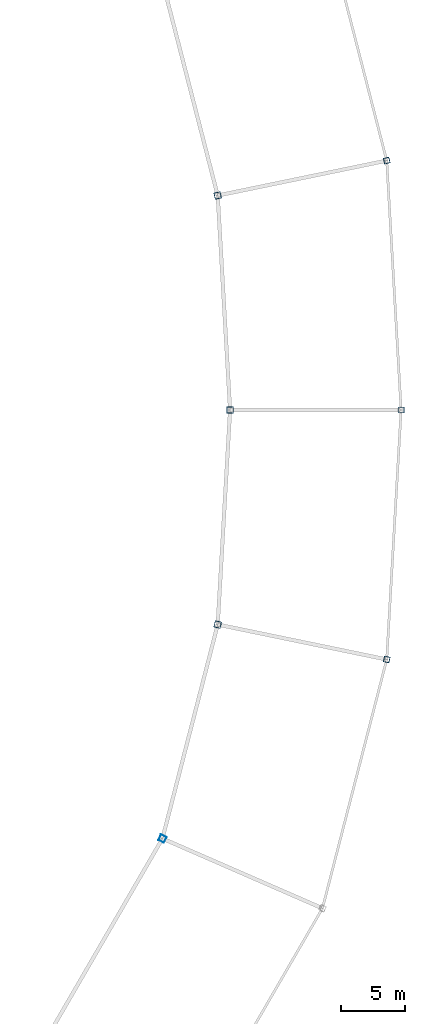
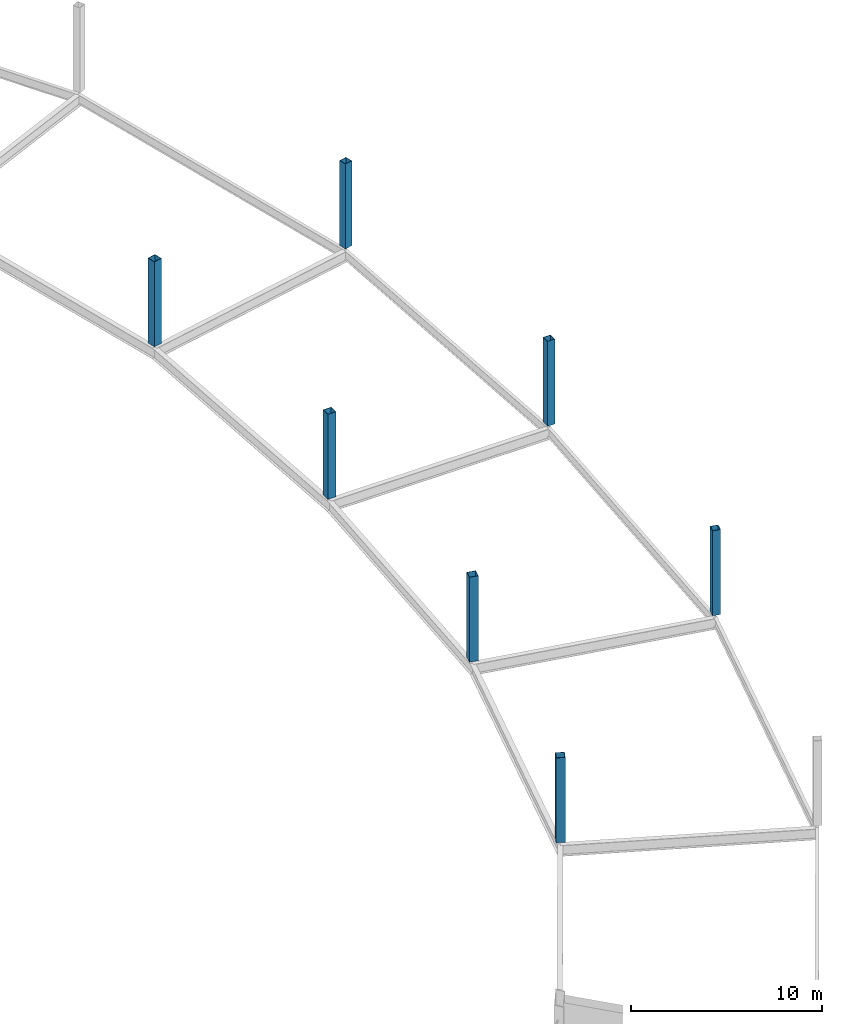
# One storey, part 6 of 103: 7 columns.
"""IFC4 building model written with IfcOpenShell, lengths in metres."""

import ifcopenshell
import ifcopenshell.guid

model = None  # the IFC model being written
_history = None  # IfcOwnerHistory: only IFC2X3 demands one
_inside = {}  # id of a spatial element -> (the spatial element, [elements in it])
_under = {}  # id of a project, library or spatial element -> (it, [spatial elements below it])
_declared = {}  # id of a project -> (the project, [libraries it declares])
_typed = {}  # id of a type object -> (the type object, [elements of that type])
_made_of = {}  # id of a material, layer set ... -> (it, [elements and type objects made of it])


def new_model(schema):
    """Start an empty IFC model of exactly this schema.

    Asked for "IFC4X3", IfcOpenShell would pick the latest addendum, in which some entities
    have other attributes; the version numbers below select the first issue.
    IFC2X3 requires an IfcOwnerHistory on every rooted entity: one is made here for all.
    """
    global model, _history
    if schema == "IFC4X3":
        model = ifcopenshell.file(schema_version=(4, 3, 0, 0))
    else:
        model = ifcopenshell.file(schema=schema)
    _inside.clear()
    _under.clear()
    _declared.clear()
    _typed.clear()
    _made_of.clear()
    _history = None
    if model.schema == "IFC2X3":
        org = make("IfcOrganization", Name="unknown")
        user = make(
            "IfcPersonAndOrganization",
            ThePerson=make("IfcPerson", FamilyName="unknown"),
            TheOrganization=org,
        )
        app = make(
            "IfcApplication",
            ApplicationDeveloper=org,
            Version="unknown",
            ApplicationFullName="unknown",
            ApplicationIdentifier="unknown",
        )
        _history = make(
            "IfcOwnerHistory",
            OwningUser=user,
            OwningApplication=app,
            ChangeAction="ADDED",
            CreationDate=0,
        )
    return model


def make(cls, **values):
    """One entity of the class cls with the attributes given. An attribute that is None is left unset."""
    return model.create_entity(
        cls, **{name: value for name, value in values.items() if value is not None}
    )


def rooted(cls, **values):
    """An entity with a GlobalId (a new one), such as an element, a storey or a relation."""
    return make(cls, GlobalId=ifcopenshell.guid.new(), OwnerHistory=_history, **values)


def si_unit(unit_type, name, prefix=None):
    """IfcSIUnit, for example si_unit("LENGTHUNIT", "METRE", prefix="MILLI")."""
    return make("IfcSIUnit", UnitType=unit_type, Prefix=prefix, Name=name)


def assignment(units):
    """IfcUnitAssignment: the units of a project."""
    return None if units is None else make("IfcUnitAssignment", Units=units)


def point(xyz):
    """IfcCartesianPoint."""
    return None if xyz is None else make("IfcCartesianPoint", Coordinates=xyz)


def direction(xyz):
    """IfcDirection."""
    return None if xyz is None else make("IfcDirection", DirectionRatios=xyz)


def frame(location, z_axis=None, x_axis=None):
    """IfcAxis2Placement3D, a coordinate frame: its origin and axes. An axis left out is left unset."""
    return make(
        "IfcAxis2Placement3D",
        Location=point(location),
        Axis=direction(z_axis),
        RefDirection=direction(x_axis),
    )


def frame_2d(location, x_axis=None):
    """IfcAxis2Placement2D, a coordinate frame in the plane: its origin and x axis."""
    return make(
        "IfcAxis2Placement2D", Location=point(location), RefDirection=direction(x_axis)
    )


def origin():
    """The frame at (0, 0, 0) with its axes left unset."""
    return frame((0.0, 0.0, 0.0))


def origin_2d():
    """The frame at (0, 0) in the plane with its x axis left unset."""
    return frame_2d((0.0, 0.0))


def place(relative_to, where):
    """IfcLocalPlacement: puts the frame where relative to a parent placement (None: the world)."""
    return make(
        "IfcLocalPlacement", PlacementRelTo=relative_to, RelativePlacement=where
    )


def context(
    kind, dimensions, precision=None, world=None, true_north=None, identifier=None
):
    """IfcGeometricRepresentationContext, for example the 3D "Model" context."""
    return make(
        "IfcGeometricRepresentationContext",
        ContextIdentifier=identifier,
        ContextType=kind,
        CoordinateSpaceDimension=dimensions,
        Precision=precision,
        WorldCoordinateSystem=world,
        TrueNorth=true_north,
    )


def subcontext(parent, identifier, kind, view, scale=None):
    """IfcGeometricRepresentationSubContext, for example "Body" below "Model"."""
    return make(
        "IfcGeometricRepresentationSubContext",
        ContextIdentifier=identifier,
        ContextType=kind,
        ParentContext=parent,
        TargetScale=scale,
        TargetView=view,
    )


def project(units=None, contexts=None):
    """IfcProject with its units and contexts."""
    return rooted(
        "IfcProject",
        Name="project",
        RepresentationContexts=contexts,
        UnitsInContext=assignment(units),
    )


def spatial(cls, under=None, at=None, **own):
    """A site, building, storey or space (cls), placed at a placement, below another one or the project."""
    s = rooted(cls, ObjectPlacement=at, **own)
    if under is not None:
        _under.setdefault(under.id(), (under, []))[1].append(s)
    return s


def profile(cls, at=None, kind="AREA", **sizes):
    """A parametric profile (cls). Its sizes go by their IFC names, for example OverallWidth=200.0."""
    return make(cls, ProfileType=kind, Position=at, **sizes)


def hollow_rectangle(**sizes):
    """IfcRectangleHollowProfileDef."""
    return profile("IfcRectangleHollowProfileDef", **sizes)


def extrude(swept, where, along, depth):
    """IfcExtrudedAreaSolid: the profile swept, set in the frame where, extruded along a direction by depth."""
    return make(
        "IfcExtrudedAreaSolid",
        SweptArea=swept,
        Position=where,
        ExtrudedDirection=direction(along),
        Depth=depth,
    )


def shape(context_of_items, identifier, shape_type, items):
    """IfcShapeRepresentation: the items that make up one representation, for example the "Body"."""
    return make(
        "IfcShapeRepresentation",
        ContextOfItems=context_of_items,
        RepresentationIdentifier=identifier,
        RepresentationType=shape_type,
        Items=items,
    )


def material(Name=None, Category=None):
    """IfcMaterial."""
    return make("IfcMaterial", Name=Name, Category=Category)


def material_profile(
    of_material, cross_section, Name=None, Category=None, Priority=None
):
    """IfcMaterialProfile: a cross section and its material."""
    return make(
        "IfcMaterialProfile",
        Name=Name,
        Material=of_material,
        Profile=cross_section,
        Priority=Priority,
        Category=Category,
    )


def profile_set(profiles, Name=None, composite=None):
    """IfcMaterialProfileSet."""
    return make(
        "IfcMaterialProfileSet",
        Name=Name,
        MaterialProfiles=profiles,
        CompositeProfile=composite,
    )


def made_of(thing, what):
    """Note that an element or type object is made of a material, layer set ...; save() writes the relation."""
    if what is not None:
        _made_of.setdefault(what.id(), (what, []))[1].append(thing)
    return thing


def type_object(cls, material=None, **own):
    """A type object (cls), such as IfcWallType, which elements share."""
    return made_of(rooted(cls, **own), material)


def element(
    cls,
    number,
    at=None,
    inside=None,
    cuts=None,
    type_object=None,
    material=None,
    context=None,
    identifier="Body",
    shape_type=None,
    held_by="IfcProductDefinitionShape",
    body=None,
    shapes=None,
    **own,
):
    """One element of the class cls, such as IfcWall. Its Tag is "e" and its number.

    at: its placement. inside: the storey or other place that contains it. cuts: it is an
    opening in that element (IfcRelVoidsElement). A single representation is given by context,
    identifier, shape_type and body (its items); several are given by shapes. held_by: the class
    of the entity that holds the representations. save() writes the other relations.
    """
    e = rooted(cls, Tag="e%d" % number, ObjectPlacement=at, **own)
    if body is not None:
        shapes = [shape(context, identifier, shape_type, body)]
    if shapes is not None:
        e.Representation = make(held_by, Representations=shapes)
    if inside is not None:
        _inside.setdefault(inside.id(), (inside, []))[1].append(e)
    if cuts is not None:
        rooted(
            "IfcRelVoidsElement", RelatingBuildingElement=cuts, RelatedOpeningElement=e
        )
    if type_object is not None:
        _typed.setdefault(type_object.id(), (type_object, []))[1].append(e)
    return made_of(e, material)


def aggregate(whole, parts):
    """IfcRelAggregates: a whole, such as a stair, and the parts it consists of."""
    return rooted("IfcRelAggregates", RelatingObject=whole, RelatedObjects=parts)


def save(model, path):
    """Write the relations noted so far, then the file.

    IfcRelAggregates (storeys below a building ...), IfcRelContainedInSpatialStructure (elements
    in a storey), IfcRelDefinesByType, IfcRelAssociatesMaterial and IfcRelDeclares: one each for
    every whole, place, type object, material and project.
    """
    for whole, parts in _under.values():
        aggregate(whole, parts)
    for where, things in _inside.values():
        rooted(
            "IfcRelContainedInSpatialStructure",
            RelatedElements=things,
            RelatingStructure=where,
        )
    for kind, things in _typed.values():
        rooted("IfcRelDefinesByType", RelatedObjects=things, RelatingType=kind)
    for what, things in _made_of.values():
        rooted("IfcRelAssociatesMaterial", RelatedObjects=things, RelatingMaterial=what)
    for by, libraries in _declared.values():
        rooted("IfcRelDeclares", RelatingContext=by, RelatedDefinitions=libraries)
    model.write(path)


model = new_model("IFC4")

# Units and contexts
model_context = context("Model", 3, precision=1e-05, world=origin(), true_north=direction((0.0, 1.0)))
body_context = subcontext(model_context, "Body", "Model", "MODEL_VIEW")
ifc_project = project(units=[si_unit("LENGTHUNIT", "METRE"), si_unit("AREAUNIT", "SQUARE_METRE"), si_unit("VOLUMEUNIT", "CUBIC_METRE"), si_unit("PLANEANGLEUNIT", "RADIAN"), si_unit("MASSUNIT", "GRAM", prefix="KILO")], contexts=[model_context])

# Site, building, storey
site_placement = place(None, origin())
site = spatial("IfcSite", under=ifc_project, at=site_placement, CompositionType="ELEMENT")
building_placement = place(site_placement, origin())
building = spatial("IfcBuilding", under=site, at=building_placement, Name="Kazemori Nagisa Stadium", CompositionType="ELEMENT")
storey_placement = place(building_placement, frame((0.0, 0.0, 25.840087890625)))
storey = spatial("IfcBuildingStorey", under=building, at=storey_placement, Name="L05", CompositionType="ELEMENT", Elevation=25.840087890625)

# Columns
ifc_material = material(Name="Steel STKR490", Category="steel")
ifc_material_profile_1 = material_profile(ifc_material, hollow_rectangle(XDim=0.449951171875, YDim=0.449951171875, WallThickness=0.02197265625, at=origin_2d()), Name="SHS-450x450x22")
ifc_profile_set_1 = profile_set([ifc_material_profile_1], Name="Steel STKR490")
column_type_1 = type_object("IfcColumnType", Name="Column_C-ST450", PredefinedType="COLUMN", material=ifc_profile_set_1)
for number, where, z_axis, x_axis, name in (
    (1, (218.0, 102.0, 0.0), (0.0, 0.0, 1.0), (1.0, 0.0, 0.0), "Column C-ST450 L05 R3-01"),
    (2, (216.880859375, 121.397705078125, 0.0), (0.0, 0.0, 1.0), (0.974927912182, 0.222520933954, 0.0), "Column C-ST450 L05 R3-02"),
    (3, (216.880859375, 82.602294921875, 0.0), (0.0, 0.0, 1.0), (0.974927912182, -0.222520933954, 0.0), "Column C-ST450 L05 R3-28"),
):
    element("IfcColumn", number, at=place(storey_placement, frame(where, z_axis=z_axis, x_axis=x_axis)), inside=storey, type_object=column_type_1, Name=name, PredefinedType="COLUMN", context=body_context, shape_type="SweptSolid", body=[
        extrude(hollow_rectangle(XDim=0.449951171875, YDim=0.449951171875, WallThickness=0.02197265625, at=origin_2d()), origin(), (0.0, 0.0, 1.0), 5.43994140625),
    ])
ifc_material_profile_2 = material_profile(ifc_material, hollow_rectangle(XDim=0.5, YDim=0.5, WallThickness=0.02197265625, at=origin_2d()), Name="SHS-500x500x22")
ifc_profile_set_2 = profile_set([ifc_material_profile_2], Name="Steel STKR490")
column_type_2 = type_object("IfcColumnType", Name="Column_C-ST500", PredefinedType="COLUMN", material=ifc_profile_set_2)
for number, where, z_axis, x_axis, name in (
    (4, (204.699951171875, 102.0, 0.0), (0.0, 0.0, 1.0), (1.0, 0.0, 0.0), "Column C-ST500 L05 R2-01"),
    (5, (203.737548828125, 118.68212890625, 0.0), (0.0, 0.0, 1.0), (0.974927912182, 0.222520933954, 0.0), "Column C-ST500 L05 R2-02"),
    (6, (199.44091796875, 68.67529296875, 0.0), (0.0, 0.0, 1.0), (0.900968867905, -0.433883739113, 0.0), "Column C-ST500 L05 R2-27"),
    (7, (203.737548828125, 85.31787109375, 0.0), (0.0, 0.0, 1.0), (0.974927912182, -0.222520933954, 0.0), "Column C-ST500 L05 R2-28"),
):
    element("IfcColumn", number, at=place(storey_placement, frame(where, z_axis=z_axis, x_axis=x_axis)), inside=storey, type_object=column_type_2, Name=name, PredefinedType="COLUMN", context=body_context, shape_type="SweptSolid", body=[
        extrude(hollow_rectangle(XDim=0.5, YDim=0.5, WallThickness=0.02197265625, at=origin_2d()), origin(), (0.0, 0.0, 1.0), 5.43994140625),
    ])

save(model, "model.ifc")
